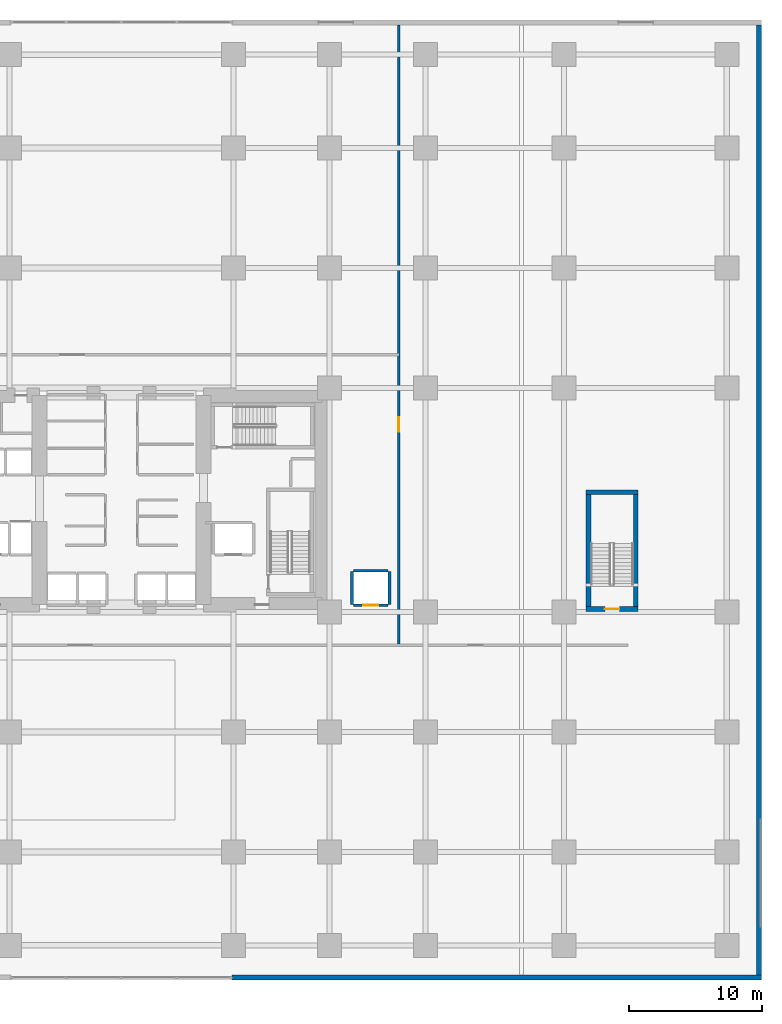
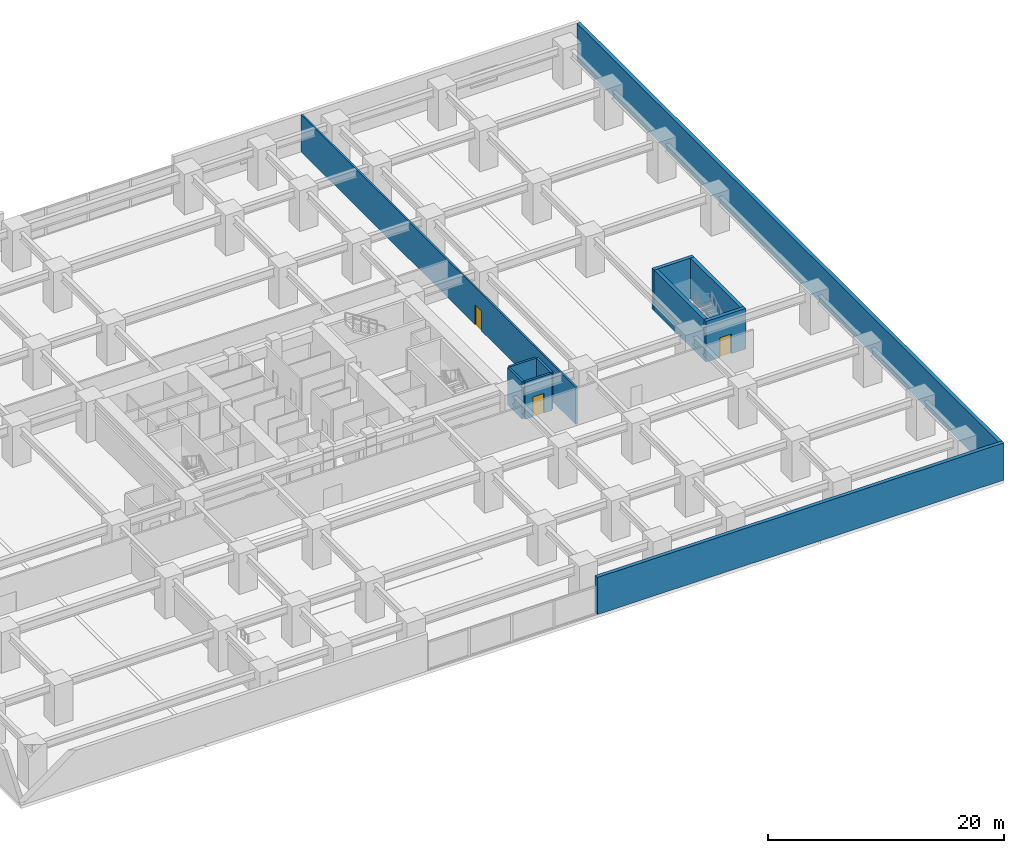
# One storey, part 13 of 22: 11 walls, 3 doors, 3 openings.
"""IFC4 building model written with IfcOpenShell, lengths in metres."""

import ifcopenshell
import ifcopenshell.guid

model = None  # the IFC model being written
_history = None  # IfcOwnerHistory: only IFC2X3 demands one
_inside = {}  # id of a spatial element -> (the spatial element, [elements in it])
_under = {}  # id of a project, library or spatial element -> (it, [spatial elements below it])
_declared = {}  # id of a project -> (the project, [libraries it declares])
_typed = {}  # id of a type object -> (the type object, [elements of that type])
_made_of = {}  # id of a material, layer set ... -> (it, [elements and type objects made of it])


def new_model(schema):
    """Start an empty IFC model of exactly this schema.

    Asked for "IFC4X3", IfcOpenShell would pick the latest addendum, in which some entities
    have other attributes; the version numbers below select the first issue.
    IFC2X3 requires an IfcOwnerHistory on every rooted entity: one is made here for all.
    """
    global model, _history
    if schema == "IFC4X3":
        model = ifcopenshell.file(schema_version=(4, 3, 0, 0))
    else:
        model = ifcopenshell.file(schema=schema)
    _inside.clear()
    _under.clear()
    _declared.clear()
    _typed.clear()
    _made_of.clear()
    _history = None
    if model.schema == "IFC2X3":
        org = make("IfcOrganization", Name="unknown")
        user = make(
            "IfcPersonAndOrganization",
            ThePerson=make("IfcPerson", FamilyName="unknown"),
            TheOrganization=org,
        )
        app = make(
            "IfcApplication",
            ApplicationDeveloper=org,
            Version="unknown",
            ApplicationFullName="unknown",
            ApplicationIdentifier="unknown",
        )
        _history = make(
            "IfcOwnerHistory",
            OwningUser=user,
            OwningApplication=app,
            ChangeAction="ADDED",
            CreationDate=0,
        )
    return model


def make(cls, **values):
    """One entity of the class cls with the attributes given. An attribute that is None is left unset."""
    return model.create_entity(
        cls, **{name: value for name, value in values.items() if value is not None}
    )


def rooted(cls, **values):
    """An entity with a GlobalId (a new one), such as an element, a storey or a relation."""
    return make(cls, GlobalId=ifcopenshell.guid.new(), OwnerHistory=_history, **values)


def si_unit(unit_type, name, prefix=None):
    """IfcSIUnit, for example si_unit("LENGTHUNIT", "METRE", prefix="MILLI")."""
    return make("IfcSIUnit", UnitType=unit_type, Prefix=prefix, Name=name)


def assignment(units):
    """IfcUnitAssignment: the units of a project."""
    return None if units is None else make("IfcUnitAssignment", Units=units)


def point(xyz):
    """IfcCartesianPoint."""
    return None if xyz is None else make("IfcCartesianPoint", Coordinates=xyz)


def direction(xyz):
    """IfcDirection."""
    return None if xyz is None else make("IfcDirection", DirectionRatios=xyz)


def frame(location, z_axis=None, x_axis=None):
    """IfcAxis2Placement3D, a coordinate frame: its origin and axes. An axis left out is left unset."""
    return make(
        "IfcAxis2Placement3D",
        Location=point(location),
        Axis=direction(z_axis),
        RefDirection=direction(x_axis),
    )


def frame_2d(location, x_axis=None):
    """IfcAxis2Placement2D, a coordinate frame in the plane: its origin and x axis."""
    return make(
        "IfcAxis2Placement2D", Location=point(location), RefDirection=direction(x_axis)
    )


def origin():
    """The frame at (0, 0, 0) with its axes left unset."""
    return frame((0.0, 0.0, 0.0))


def place(relative_to, where):
    """IfcLocalPlacement: puts the frame where relative to a parent placement (None: the world)."""
    return make(
        "IfcLocalPlacement", PlacementRelTo=relative_to, RelativePlacement=where
    )


def context(
    kind, dimensions, precision=None, world=None, true_north=None, identifier=None
):
    """IfcGeometricRepresentationContext, for example the 3D "Model" context."""
    return make(
        "IfcGeometricRepresentationContext",
        ContextIdentifier=identifier,
        ContextType=kind,
        CoordinateSpaceDimension=dimensions,
        Precision=precision,
        WorldCoordinateSystem=world,
        TrueNorth=true_north,
    )


def subcontext(parent, identifier, kind, view, scale=None):
    """IfcGeometricRepresentationSubContext, for example "Body" below "Model"."""
    return make(
        "IfcGeometricRepresentationSubContext",
        ContextIdentifier=identifier,
        ContextType=kind,
        ParentContext=parent,
        TargetScale=scale,
        TargetView=view,
    )


def project(units=None, contexts=None):
    """IfcProject with its units and contexts."""
    return rooted(
        "IfcProject",
        Name="project",
        RepresentationContexts=contexts,
        UnitsInContext=assignment(units),
    )


def spatial(cls, under=None, at=None, **own):
    """A site, building, storey or space (cls), placed at a placement, below another one or the project."""
    s = rooted(cls, ObjectPlacement=at, **own)
    if under is not None:
        _under.setdefault(under.id(), (under, []))[1].append(s)
    return s


def profile(cls, at=None, kind="AREA", **sizes):
    """A parametric profile (cls). Its sizes go by their IFC names, for example OverallWidth=200.0."""
    return make(cls, ProfileType=kind, Position=at, **sizes)


def rectangle(**sizes):
    """IfcRectangleProfileDef."""
    return profile("IfcRectangleProfileDef", **sizes)


def extrude(swept, where, along, depth):
    """IfcExtrudedAreaSolid: the profile swept, set in the frame where, extruded along a direction by depth."""
    return make(
        "IfcExtrudedAreaSolid",
        SweptArea=swept,
        Position=where,
        ExtrudedDirection=direction(along),
        Depth=depth,
    )


def shape(context_of_items, identifier, shape_type, items):
    """IfcShapeRepresentation: the items that make up one representation, for example the "Body"."""
    return make(
        "IfcShapeRepresentation",
        ContextOfItems=context_of_items,
        RepresentationIdentifier=identifier,
        RepresentationType=shape_type,
        Items=items,
    )


def material(Name=None, Category=None):
    """IfcMaterial."""
    return make("IfcMaterial", Name=Name, Category=Category)


def layer(
    of_material, thickness, ventilated=None, Name=None, Category=None, Priority=None
):
    """IfcMaterialLayer: one layer of a wall or slab, of a material (None: an air gap)."""
    return make(
        "IfcMaterialLayer",
        Material=of_material,
        LayerThickness=thickness,
        IsVentilated=ventilated,
        Name=Name,
        Category=Category,
        Priority=Priority,
    )


def layer_set(layers, Name=None):
    """IfcMaterialLayerSet."""
    return make("IfcMaterialLayerSet", MaterialLayers=layers, LayerSetName=Name)


def made_of(thing, what):
    """Note that an element or type object is made of a material, layer set ...; save() writes the relation."""
    if what is not None:
        _made_of.setdefault(what.id(), (what, []))[1].append(thing)
    return thing


def type_object(cls, material=None, **own):
    """A type object (cls), such as IfcWallType, which elements share."""
    return made_of(rooted(cls, **own), material)


def element(
    cls,
    number,
    at=None,
    inside=None,
    cuts=None,
    type_object=None,
    material=None,
    context=None,
    identifier="Body",
    shape_type=None,
    held_by="IfcProductDefinitionShape",
    body=None,
    shapes=None,
    **own,
):
    """One element of the class cls, such as IfcWall. Its Tag is "e" and its number.

    at: its placement. inside: the storey or other place that contains it. cuts: it is an
    opening in that element (IfcRelVoidsElement). A single representation is given by context,
    identifier, shape_type and body (its items); several are given by shapes. held_by: the class
    of the entity that holds the representations. save() writes the other relations.
    """
    e = rooted(cls, Tag="e%d" % number, ObjectPlacement=at, **own)
    if body is not None:
        shapes = [shape(context, identifier, shape_type, body)]
    if shapes is not None:
        e.Representation = make(held_by, Representations=shapes)
    if inside is not None:
        _inside.setdefault(inside.id(), (inside, []))[1].append(e)
    if cuts is not None:
        rooted(
            "IfcRelVoidsElement", RelatingBuildingElement=cuts, RelatedOpeningElement=e
        )
    if type_object is not None:
        _typed.setdefault(type_object.id(), (type_object, []))[1].append(e)
    return made_of(e, material)


def fill(opening, filler):
    """IfcRelFillsElement: the door or window that sits in an opening."""
    return rooted(
        "IfcRelFillsElement",
        RelatingOpeningElement=opening,
        RelatedBuildingElement=filler,
    )


def aggregate(whole, parts):
    """IfcRelAggregates: a whole, such as a stair, and the parts it consists of."""
    return rooted("IfcRelAggregates", RelatingObject=whole, RelatedObjects=parts)


def save(model, path):
    """Write the relations noted so far, then the file.

    IfcRelAggregates (storeys below a building ...), IfcRelContainedInSpatialStructure (elements
    in a storey), IfcRelDefinesByType, IfcRelAssociatesMaterial and IfcRelDeclares: one each for
    every whole, place, type object, material and project.
    """
    for whole, parts in _under.values():
        aggregate(whole, parts)
    for where, things in _inside.values():
        rooted(
            "IfcRelContainedInSpatialStructure",
            RelatedElements=things,
            RelatingStructure=where,
        )
    for kind, things in _typed.values():
        rooted("IfcRelDefinesByType", RelatedObjects=things, RelatingType=kind)
    for what, things in _made_of.values():
        rooted("IfcRelAssociatesMaterial", RelatedObjects=things, RelatingMaterial=what)
    for by, libraries in _declared.values():
        rooted("IfcRelDeclares", RelatingContext=by, RelatedDefinitions=libraries)
    model.write(path)


model = new_model("IFC4")

# Units and contexts
model_context = context("Model", 3, precision=1e-05, world=origin(), true_north=direction((0.0, 1.0)))
body_context = subcontext(model_context, "Body", "Model", "MODEL_VIEW")
ifc_project = project(units=[si_unit("LENGTHUNIT", "METRE"), si_unit("AREAUNIT", "SQUARE_METRE"), si_unit("VOLUMEUNIT", "CUBIC_METRE"), si_unit("PLANEANGLEUNIT", "RADIAN"), si_unit("MASSUNIT", "GRAM", prefix="KILO")], contexts=[model_context])

# Site, building, storey
site_placement = place(None, origin())
site = spatial("IfcSite", under=ifc_project, at=site_placement, CompositionType="ELEMENT")
building_placement = place(site_placement, origin())
building = spatial("IfcBuilding", under=site, at=building_placement, Name="Kiyonajd Concourse Tower", CompositionType="ELEMENT")
storey_placement = place(building_placement, frame((0.0, 0.0, 12.89990234375)))
storey = spatial("IfcBuildingStorey", under=building, at=storey_placement, Name="L04", CompositionType="ELEMENT", Elevation=12.89990234375)

# Walls
ifc_material_1 = material(Name="Precast concrete C50/60", Category="concrete")
ifc_layer_1 = layer(ifc_material_1, 0.360107421875)
ifc_layer_set_1 = layer_set([ifc_layer_1], Name="Precast concrete C50/60")
wall_type_1 = type_object("IfcWallType", Name="WL-EXT-360", PredefinedType="SOLIDWALL", material=ifc_layer_set_1)
wall_1_placement = place(storey_placement, frame((95.820068359375, 71.639892578125, 0.0), z_axis=(0.0, 0.0, 1.0), x_axis=(0.0, -1.0, 0.0)))
element("IfcWall", 1, at=wall_1_placement, inside=storey, type_object=wall_type_1, Name="L04 East Podium Limestone Facade Wall", PredefinedType="SOLIDWALL", context=body_context, shape_type="SweptSolid", body=[
    extrude(rectangle(XDim=71.27978515625, YDim=0.360107421875, at=frame_2d((35.639892578125, 0.0))), origin(), (0.0, 0.0, 1.0), 3.840087890625),
])
wall_2_placement = place(storey_placement, frame((96.0, 0.179931640625, 0.0), z_axis=(0.0, 0.0, 1.0), x_axis=(-1.0, 0.0, 0.0)))
element("IfcWall", 2, at=wall_2_placement, inside=storey, type_object=wall_type_1, Name="L04 South East Podium Facade Wall", PredefinedType="SOLIDWALL", context=body_context, shape_type="SweptSolid", body=[
    extrude(rectangle(XDim=39.719970703125, YDim=0.360107421875, at=frame_2d((19.85986328125, 0.0))), origin(), (0.0, 0.0, 1.0), 3.840087890625),
])

# Wall, opening, door
ifc_material_2 = material(Name="Gypsum Board on Cold-Formed Steel Stud", Category="steel")
ifc_layer_2 = layer(ifc_material_2, 0.2099609375)
ifc_layer_set_2 = layer_set([ifc_layer_2], Name="Gypsum Board on Cold-Formed Steel Stud")
wall_type_2 = type_object("IfcWallType", Name="WL-SHAFT-210", PredefinedType="PARTITIONING", material=ifc_layer_set_2)
wall_3_placement = place(storey_placement, frame((65.39990234375, 28.10009765625, 0.0), z_axis=(0.0, 0.0, 1.0), x_axis=(1.0, 0.0, 0.0)))
wall_3 = element("IfcWall", 3, at=wall_3_placement, inside=storey, type_object=wall_type_2, Name="L04 Shaft Enclosure Wall", PredefinedType="PARTITIONING", context=body_context, shape_type="SweptSolid", body=[
    extrude(rectangle(XDim=2.60009765625, YDim=0.2099609375, at=frame_2d((1.300048828125, 0.0))), origin(), (0.0, 0.0, 1.0), 3.840087890625),
])
opening_1_placement = place(wall_3_placement, frame((0.75, 0.0, 0.0)))
opening_1 = element("IfcOpeningElement", 4, at=opening_1_placement, cuts=wall_3, Name="Opening LD1", PredefinedType="OPENING", context=body_context, shape_type="SweptSolid", body=[
    extrude(rectangle(XDim=1.10009765625, YDim=2.0400390625, at=frame_2d((0.550048828125, 1.02001953125))), frame((0.0, 0.114990234375, 0.0), z_axis=(0.0, -1.0, 0.0), x_axis=(1.0, 0.0, 0.0)), (0.0, 0.0, 1.0), 0.22998046875),
])
ifc_material_3 = material(Name="Brushed Stainless Steel Cab Assembly", Category="steel")
door_type_1 = type_object("IfcDoorType", Name="DR-LD-1100", OperationType="DOUBLE_DOOR_SLIDING", PredefinedType="DOOR", material=ifc_material_3)
door_1_placement = place(opening_1_placement, origin())
door_1 = element("IfcDoor", 5, at=door_1_placement, inside=storey, type_object=door_type_1, Name="L04 Lift PD2 Sliding Landing Door", OperationType="DOUBLE_DOOR_SLIDING", OverallHeight=2.0400390625, OverallWidth=1.10009765625, PredefinedType="DOOR", context=body_context, shape_type="SweptSolid", body=[
    extrude(rectangle(XDim=1.10009765625, YDim=2.0400390625, at=frame_2d((0.550048828125, 1.02001953125))), frame((0.0, 0.02490234375, 0.0), z_axis=(0.0, -1.0, 0.0), x_axis=(1.0, 0.0, 0.0)), (0.0, 0.0, 1.0), 0.050048828125),
])
fill(opening_1, door_1)

# Walls
wall_4_placement = place(storey_placement, frame((65.39990234375, 30.699951171875, 0.0), z_axis=(0.0, 0.0, 1.0), x_axis=(1.0, 0.0, 0.0)))
element("IfcWall", 6, at=wall_4_placement, inside=storey, type_object=wall_type_2, Name="L04 Shaft Enclosure Wall", PredefinedType="PARTITIONING", context=body_context, shape_type="SweptSolid", body=[
    extrude(rectangle(XDim=2.60009765625, YDim=0.2099609375, at=frame_2d((1.300048828125, 0.0))), origin(), (0.0, 0.0, 1.0), 3.840087890625),
])
for number, where, z_axis, x_axis, name in (
    (7, (65.300048828125, 28.159912109375, 0.0), (0.0, 0.0, 1.0), (0.0, 1.0, 0.0), "L04 Shaft Enclosure Wall"),
    (8, (68.10009765625, 28.159912109375, 0.0), (0.0, 0.0, 1.0), (0.0, 1.0, 0.0), "L04 Shaft Enclosure Wall"),
):
    element("IfcWall", number, at=place(storey_placement, frame(where, z_axis=z_axis, x_axis=x_axis)), inside=storey, type_object=wall_type_2, Name=name, PredefinedType="PARTITIONING", context=body_context, shape_type="SweptSolid", body=[
        extrude(rectangle(XDim=2.47998046875, YDim=0.2099609375, at=frame_2d((1.239990234375, 0.0))), origin(), (0.0, 0.0, 1.0), 3.840087890625),
    ])

# Wall, opening, door
ifc_layer_3 = layer(ifc_material_2, 0.169921875)
ifc_layer_set_3 = layer_set([ifc_layer_3], Name="Gypsum Board on Cold-Formed Steel Stud")
wall_type_3 = type_object("IfcWallType", Name="WL-SMK-170", PredefinedType="PARTITIONING", material=ifc_layer_set_3)
wall_5_placement = place(storey_placement, frame((68.800048828125, 25.18701171875, 0.0), z_axis=(0.0, 0.0, 1.0), x_axis=(0.0, 1.0, 0.0)))
wall_5 = element("IfcWall", 9, at=wall_5_placement, inside=storey, type_object=wall_type_3, Name="L04 Interior Partition Wall", PredefinedType="PARTITIONING", context=body_context, shape_type="SweptSolid", body=[
    extrude(rectangle(XDim=46.447998046875, YDim=0.169921875, at=frame_2d((23.22412109375, 0.0))), origin(), (0.0, 0.0, 1.0), 3.840087890625),
])
opening_2_placement = place(wall_5_placement, frame((15.9130859375, 0.0, 0.0)))
opening_2 = element("IfcOpeningElement", 10, at=opening_2_placement, cuts=wall_5, Name="Opening DF2", PredefinedType="OPENING", context=body_context, shape_type="SweptSolid", body=[
    extrude(rectangle(XDim=1.10009765625, YDim=2.050048828125, at=frame_2d((0.550048828125, 1.02490234375))), frame((0.0, 0.094970703125, 0.0), z_axis=(0.0, -1.0, 0.0), x_axis=(1.0, 0.0, 0.0)), (0.0, 0.0, 1.0), 0.18994140625),
])
door_type_2 = type_object("IfcDoorType", Name="DR-FD90-1100", OperationType="NOTDEFINED", PredefinedType="DOOR", material=ifc_material_3)
door_2_placement = place(opening_2_placement, origin())
door_2 = element("IfcDoor", 11, at=door_2_placement, inside=storey, type_object=door_type_2, Name="L04 Interior Door", OperationType="SINGLE_SWING_RIGHT", OverallHeight=2.050048828125, OverallWidth=1.10009765625, PredefinedType="DOOR", context=body_context, shape_type="SweptSolid", body=[
    extrude(rectangle(XDim=1.10009765625, YDim=2.050048828125, at=frame_2d((0.550048828125, 1.02490234375))), frame((0.0, 0.02490234375, 0.0), z_axis=(0.0, -1.0, 0.0), x_axis=(1.0, 0.0, 0.0)), (0.0, 0.0, 1.0), 0.050048828125),
])
fill(opening_2, door_2)

ifc_material_4 = material(Name="Concrete C50/60", Category="concrete")
ifc_layer_4 = layer(ifc_material_4, 0.35009765625)
ifc_layer_set_4 = layer_set([ifc_layer_4], Name="Concrete C50/60")
wall_type_4 = type_object("IfcWallType", Name="WL-STAIR-350", PredefinedType="SHEAR", material=ifc_layer_set_4)
wall_6_placement = place(storey_placement, frame((82.85009765625, 27.824951171875, 0.0), z_axis=(0.0, 0.0, 1.0), x_axis=(1.0, 0.0, 0.0)))
wall_6 = element("IfcWall", 12, at=wall_6_placement, inside=storey, type_object=wall_type_4, Name="L04 Stair ST5 Structural South Wall", PredefinedType="SHEAR", context=body_context, shape_type="SweptSolid", body=[
    extrude(rectangle(XDim=3.89990234375, YDim=0.35009765625, at=frame_2d((1.949951171875, 0.0))), origin(), (0.0, 0.0, 1.0), 4.2001953125),
])
opening_3_placement = place(wall_6_placement, frame((1.39990234375, 0.0, 0.0)))
opening_3 = element("IfcOpeningElement", 13, at=opening_3_placement, cuts=wall_6, Name="Opening DF2", PredefinedType="OPENING", context=body_context, shape_type="SweptSolid", body=[
    extrude(rectangle(XDim=1.10009765625, YDim=2.050048828125, at=frame_2d((0.550048828125, 1.02490234375))), frame((0.0, 0.18505859375, 0.0), z_axis=(0.0, -1.0, 0.0), x_axis=(1.0, 0.0, 0.0)), (0.0, 0.0, 1.0), 0.3701171875),
])
door_3_placement = place(opening_3_placement, origin())
door_3 = element("IfcDoor", 14, at=door_3_placement, inside=storey, type_object=door_type_2, Name="L04 Stair ST5 Fire Door", OperationType="SINGLE_SWING_RIGHT", OverallHeight=2.050048828125, OverallWidth=1.10009765625, PredefinedType="DOOR", context=body_context, shape_type="SweptSolid", body=[
    extrude(rectangle(XDim=1.10009765625, YDim=2.050048828125, at=frame_2d((0.550048828125, 1.02490234375))), frame((0.0, 0.02490234375, 0.0), z_axis=(0.0, -1.0, 0.0), x_axis=(1.0, 0.0, 0.0)), (0.0, 0.0, 1.0), 0.050048828125),
])
fill(opening_3, door_3)

# Walls
wall_7_placement = place(storey_placement, frame((82.85009765625, 36.574951171875, 0.0), z_axis=(0.0, 0.0, 1.0), x_axis=(1.0, 0.0, 0.0)))
element("IfcWall", 15, at=wall_7_placement, inside=storey, type_object=wall_type_4, Name="L04 Stair ST5 Structural North Wall", PredefinedType="SHEAR", context=body_context, shape_type="SweptSolid", body=[
    extrude(rectangle(XDim=3.89990234375, YDim=0.35009765625, at=frame_2d((1.949951171875, 0.0))), origin(), (0.0, 0.0, 1.0), 4.2001953125),
])
for number, where, z_axis, x_axis, name in (
    (16, (83.02490234375, 28.0, 0.0), (0.0, 0.0, 1.0), (0.0, 1.0, 0.0), "L04 Stair ST5 Structural West Wall"),
    (17, (86.574951171875, 28.0, 0.0), (0.0, 0.0, 1.0), (0.0, 1.0, 0.0), "L04 Stair ST5 Structural East Wall"),
):
    element("IfcWall", number, at=place(storey_placement, frame(where, z_axis=z_axis, x_axis=x_axis)), inside=storey, type_object=wall_type_4, Name=name, PredefinedType="SHEAR", context=body_context, shape_type="SweptSolid", body=[
        extrude(rectangle(XDim=8.39990234375, YDim=0.35009765625, at=frame_2d((4.199951171875, 0.0))), origin(), (0.0, 0.0, 1.0), 4.2001953125),
    ])

save(model, "model.ifc")
